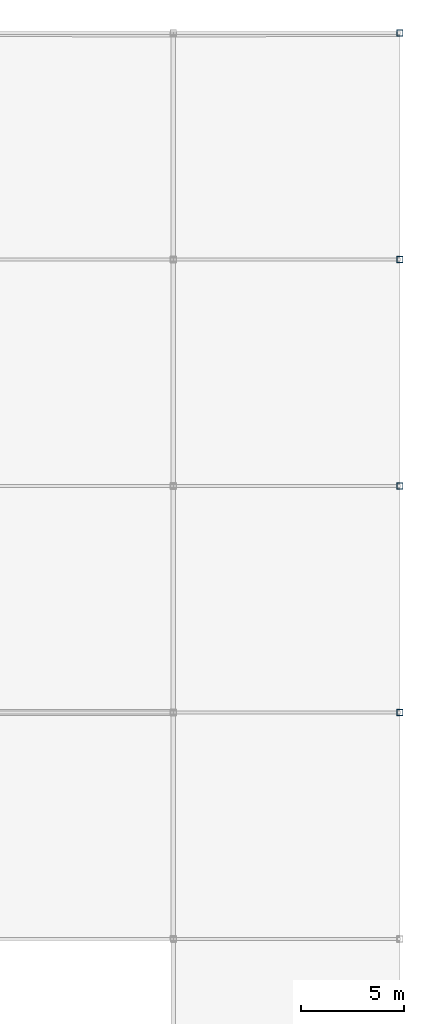
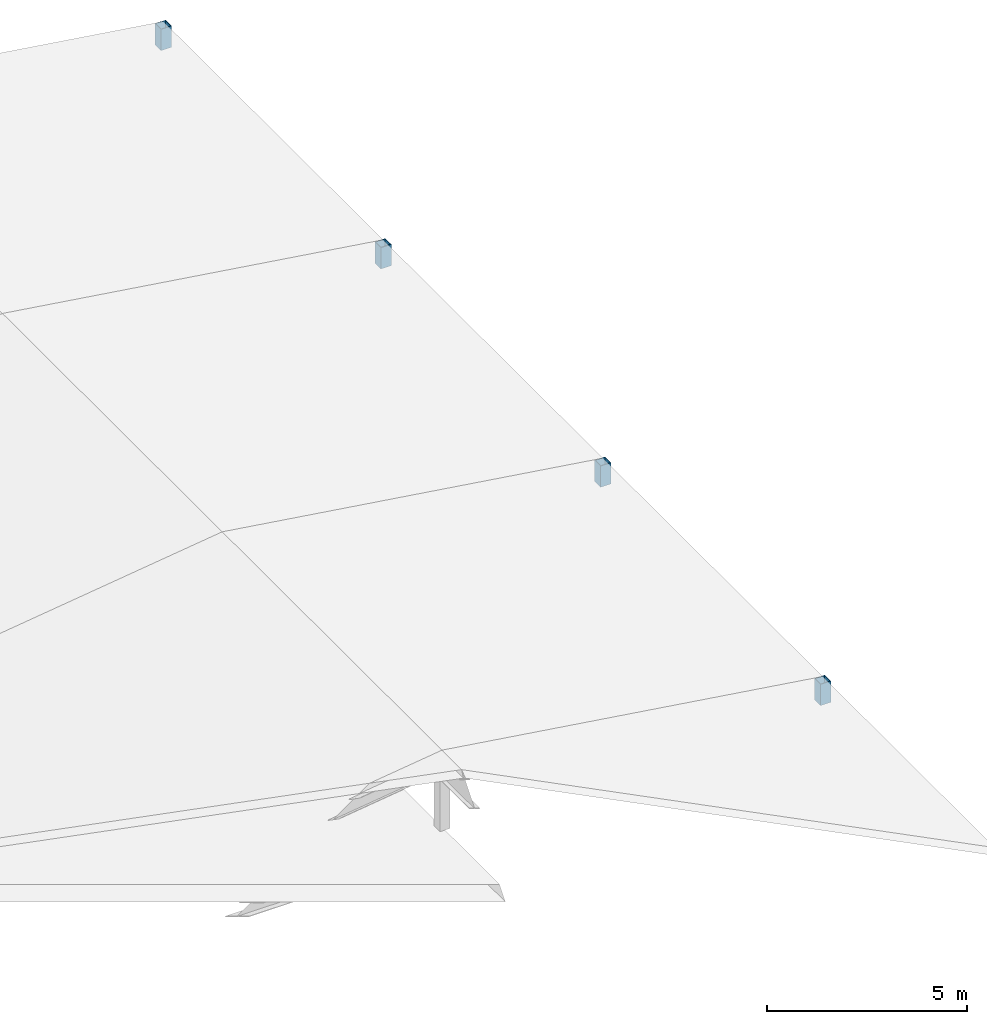
# One storey, part 23 of 77: 4 columns.
"""IFC4 building model written with IfcOpenShell, lengths in metres."""

from ifc_helpers import new_model, si_unit, direction, frame, origin, origin_2d, place, context, subcontext, project, spatial, hollow_rectangle, extrude, material, material_profile, profile_set, type_object, element, save


model = new_model("IFC4")

# Units and contexts
model_context = context("Model", 3, precision=1e-05, world=origin(), true_north=direction((0.0, 1.0)))
body_context = subcontext(model_context, "Body", "Model", "MODEL_VIEW")
ifc_project = project(units=[si_unit("LENGTHUNIT", "METRE"), si_unit("AREAUNIT", "SQUARE_METRE"), si_unit("VOLUMEUNIT", "CUBIC_METRE"), si_unit("PLANEANGLEUNIT", "RADIAN"), si_unit("MASSUNIT", "GRAM", prefix="KILO")], contexts=[model_context])

# Site, building, storey
site_placement = place(None, origin())
site = spatial("IfcSite", under=ifc_project, at=site_placement, CompositionType="ELEMENT")
building_placement = place(site_placement, origin())
building = spatial("IfcBuilding", under=site, at=building_placement, Name="Luwafu Chhajja Arena", CompositionType="ELEMENT")
storey_placement = place(building_placement, frame((0.0, 0.0, 14.699951171875)))
storey = spatial("IfcBuildingStorey", under=building, at=storey_placement, Name="L03", CompositionType="ELEMENT", Elevation=14.699951171875)

# Columns
ifc_material = material(Name="Steel S355", Category="steel")
ifc_material_profile = material_profile(ifc_material, hollow_rectangle(XDim=0.300048828125, YDim=0.300048828125, WallThickness=0.01611328125, at=origin_2d()), Name="SHS 300x300x16")
ifc_profile_set = profile_set([ifc_material_profile], Name="Steel S355")
column_type = type_object("IfcColumnType", Name="Steel Gallery Post SHS 300", PredefinedType="COLUMN", material=ifc_profile_set)
for number, where, z_axis, x_axis, name in (
    (1, (187.0, 66.0, 0.0), (0.0, 0.0, 1.0), (1.0, 0.0, 0.0), "East Pavilion Eave Post 6"),
    (2, (187.0, 77.0, 0.0), (0.0, 0.0, 1.0), (1.0, 0.0, 0.0), "East Pavilion Eave Post 7"),
    (3, (187.0, 88.0, 0.0), (0.0, 0.0, 1.0), (1.0, 0.0, 0.0), "East Pavilion Eave Post 8"),
    (4, (187.0, 99.0, 0.0), (0.0, 0.0, 1.0), (1.0, 0.0, 0.0), "East Pavilion Eave Post 9"),
):
    element("IfcColumn", number, at=place(storey_placement, frame(where, z_axis=z_axis, x_axis=x_axis)), inside=storey, type_object=column_type, Name=name, PredefinedType="COLUMN", context=body_context, shape_type="SweptSolid", body=[
        extrude(hollow_rectangle(XDim=0.300048828125, YDim=0.300048828125, WallThickness=0.01611328125, at=origin_2d()), origin(), (0.0, 0.0, 1.0), 0.650146484375),
    ])

save(model, "model.ifc")
